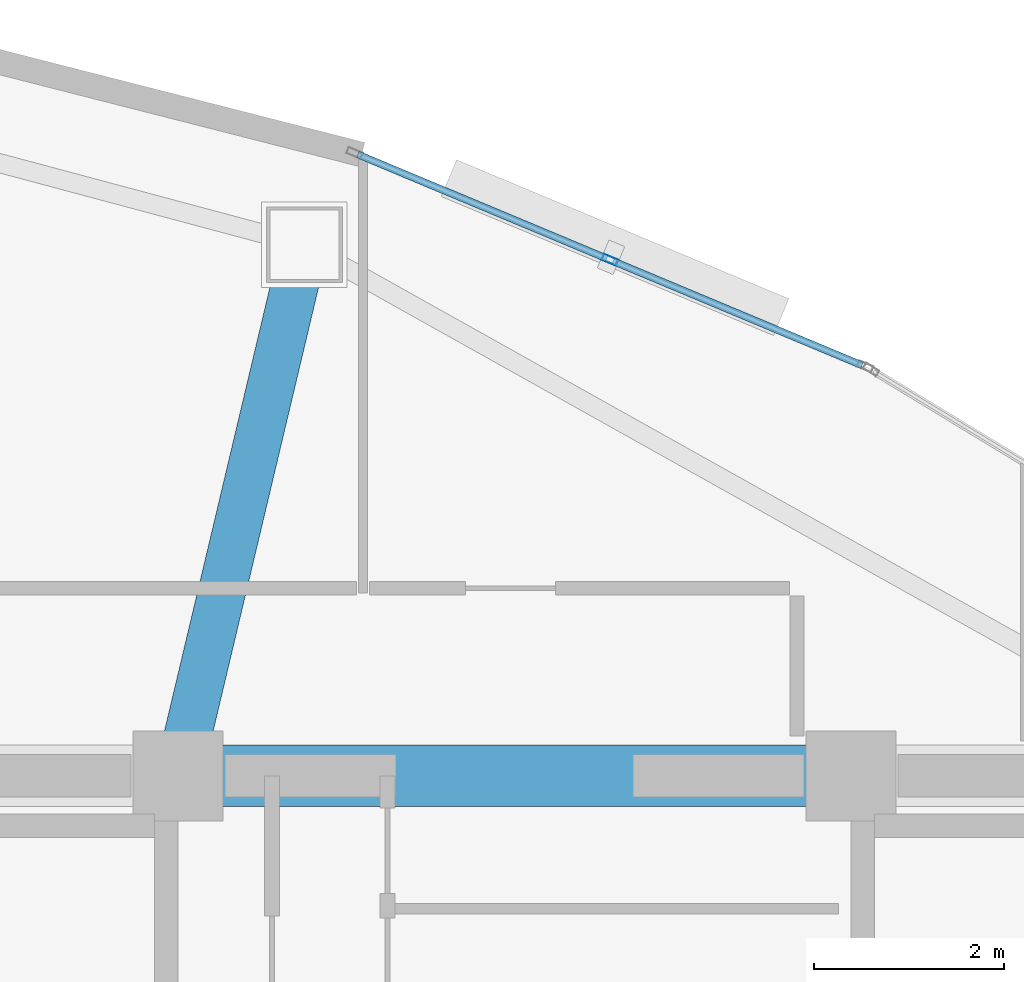
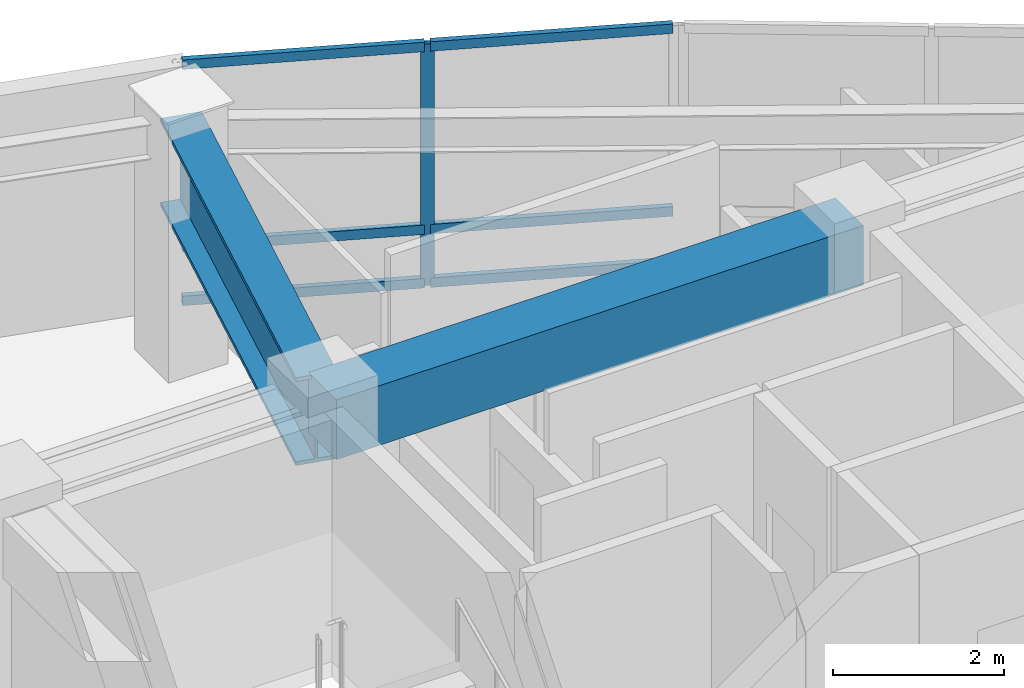
# One storey, part 8 of 15: 7 members, 2 beams, 1 element without a shape of its own.
"""IFC4 building model written with IfcOpenShell, lengths in metres."""

from ifc_helpers import new_model, si_unit, direction, frame, origin, origin_2d, place, context, subcontext, project, spatial, rectangle, hollow_rectangle, i_section, extrude, material, layer, layer_set, material_profile, profile_set, type_object, element, aggregate, save


model = new_model("IFC4")

# Units and contexts
model_context = context("Model", 3, precision=1e-05, world=origin(), true_north=direction((0.0, 1.0)))
body_context = subcontext(model_context, "Body", "Model", "MODEL_VIEW")
ifc_project = project(units=[si_unit("LENGTHUNIT", "METRE"), si_unit("AREAUNIT", "SQUARE_METRE"), si_unit("VOLUMEUNIT", "CUBIC_METRE"), si_unit("PLANEANGLEUNIT", "RADIAN"), si_unit("MASSUNIT", "GRAM", prefix="KILO")], contexts=[model_context])

# Site, building, storey
site_placement = place(None, origin())
site = spatial("IfcSite", under=ifc_project, at=site_placement, CompositionType="ELEMENT")
building_placement = place(site_placement, origin())
building = spatial("IfcBuilding", under=site, at=building_placement, Name="Menara Vayukalpa", CompositionType="ELEMENT")
storey_placement = place(building_placement, frame((0.0, 0.0, 295.5)))
storey = spatial("IfcBuildingStorey", under=building, at=storey_placement, Name="L75", CompositionType="ELEMENT", Elevation=295.5)

# Beams
ifc_material_1 = material(Name="Concrete C60/75", Category="concrete")
ifc_material_profile_1 = material_profile(ifc_material_1, rectangle(XDim=0.64990234375, YDim=0.85009765625, at=origin_2d()), Name="RC 650x850")
ifc_profile_set_1 = profile_set([ifc_material_profile_1], Name="Concrete C60/75")
beam_type_1 = type_object("IfcBeamType", Name="BM-CB1", PredefinedType="BEAM", material=ifc_profile_set_1)
beam_1_placement = place(storey_placement, frame((22.050048828125, 26.800048828125, 3.014892578125), z_axis=(1.0, 0.0, 0.0), x_axis=(0.0, 1.0, 0.0)))
element("IfcBeam", 1, at=beam_1_placement, inside=storey, type_object=beam_type_1, Name="L75 Core Tie Beam CBR5", PredefinedType="BEAM", context=body_context, shape_type="SweptSolid", body=[
    extrude(rectangle(XDim=0.64990234375, YDim=0.85009765625, at=origin_2d()), origin(), (0.0, 0.0, 1.0), 7.099853515625),
])
ifc_material_2 = material(Name="Steel S460", Category="steel")
ifc_material_profile_2 = material_profile(ifc_material_2, i_section(OverallWidth=0.5, OverallDepth=1.25, WebThickness=0.028076171875, FlangeThickness=0.054931640625, at=origin_2d()), Name="WG 1250x500x28x55")
ifc_profile_set_2 = profile_set([ifc_material_profile_2], Name="Steel S460")
beam_type_2 = type_object("IfcBeamType", Name="BM-TG2", PredefinedType="BEAM", material=ifc_profile_set_2)
beam_2_placement = place(storey_placement, frame((22.10791015625, 27.043212890625, 2.81494140625), z_axis=(0.231167310854, 0.972914011818, 0.0), x_axis=(-0.972914011818, 0.231167310854, 0.0)))
element("IfcBeam", 2, at=beam_2_placement, inside=storey, type_object=beam_type_2, Name="L75 Primary Radial Girder RG03", PredefinedType="BEAM", context=body_context, shape_type="SweptSolid", body=[
    extrude(i_section(OverallWidth=0.5, OverallDepth=1.25, WebThickness=0.028076171875, FlangeThickness=0.054931640625, at=origin_2d()), origin(), (0.0, 0.0, 1.0), 5.5107421875),
])

# Curtain wall, members
ifc_material_3 = material(Name="Anodised Terracotta Aluminium Alloy 6063-T6", Category="masonry")
ifc_layer = layer(ifc_material_3, 0.1650390625)
ifc_layer_set = layer_set([ifc_layer], Name="Anodised Terracotta Aluminium Alloy 6063-T6")
curtain_wall_type = type_object("IfcCurtainWallType", Name="CW-CW6", PredefinedType="USERDEFINED", material=ifc_layer_set)
curtain_wall_placement = place(storey_placement, origin())
curtain_wall = element("IfcCurtainWall", 3, at=curtain_wall_placement, inside=storey, type_object=curtain_wall_type, Name="L75 Observation and Executive Curtain Wall CW6 05", ObjectType="UNITISED", PredefinedType="USERDEFINED")
ifc_material_4 = material(Name="Anodised Terracotta Aluminium Alloy 6063-T6", Category="masonry")
ifc_material_profile_3 = material_profile(ifc_material_4, hollow_rectangle(XDim=0.070068359375, YDim=0.1650390625, WallThickness=0.00390625, at=origin_2d()), Name="ALU 70x165x4")
ifc_profile_set_3 = profile_set([ifc_material_profile_3], Name="Anodised Terracotta Aluminium Alloy 6063-T6")
member_type_1 = type_object("IfcMemberType", Name="CWM-CW6", PredefinedType="MULLION", material=ifc_profile_set_3)
member_1_placement = place(storey_placement, frame((26.60595703125, 32.2451171875, 0.0), z_axis=(0.0, 0.0, 1.0), x_axis=(-0.385899911703, -0.922540653927, 0.0)))
member_1 = element("IfcMember", 4, at=member_1_placement, type_object=member_type_1, Name="CW6 mullion 2", PredefinedType="MULLION", context=body_context, shape_type="SweptSolid", body=[
    extrude(hollow_rectangle(XDim=0.070068359375, YDim=0.1650390625, WallThickness=0.00390625, at=origin_2d()), origin(), (0.0, 0.0, 1.0), 3.43994140625),
])
ifc_material_5 = material(Name="Anodised Terracotta Aluminium Alloy 6063-T6", Category="masonry")
ifc_material_profile_4 = material_profile(ifc_material_5, hollow_rectangle(XDim=0.074951171875, YDim=0.135009765625, WallThickness=0.00390625, at=origin_2d()), Name="ALU 75x135x4")
ifc_profile_set_4 = profile_set([ifc_material_profile_4], Name="Anodised Terracotta Aluminium Alloy 6063-T6")
member_type_2 = type_object("IfcMemberType", Name="CWT-CW6", PredefinedType="USERDEFINED", material=ifc_profile_set_4)
member_2_placement = place(storey_placement, frame((29.266357421875, 31.13232421875, 0.03759765625), z_axis=(-0.922528286758, 0.385929475592, 0.0), x_axis=(-0.385929475592, -0.922528286758, 0.0)))
member_2 = element("IfcMember", 5, at=member_2_placement, type_object=member_type_2, Name="CW6 transom 1.1", ObjectType="TRANSOM", PredefinedType="USERDEFINED", context=body_context, shape_type="SweptSolid", body=[
    extrude(hollow_rectangle(XDim=0.074951171875, YDim=0.135009765625, WallThickness=0.00390625, at=origin_2d()), origin(), (0.0, 0.0, 1.0), 2.8486328125),
])
member_3_placement = place(storey_placement, frame((29.266357421875, 31.13232421875, 0.800048828125), z_axis=(-0.922528286758, 0.385929475592, 0.0), x_axis=(-0.385929475592, -0.922528286758, 0.0)))
member_3 = element("IfcMember", 6, at=member_3_placement, type_object=member_type_2, Name="CW6 transom 1.2", ObjectType="TRANSOM", PredefinedType="USERDEFINED", context=body_context, shape_type="SweptSolid", body=[
    extrude(hollow_rectangle(XDim=0.074951171875, YDim=0.135009765625, WallThickness=0.00390625, at=origin_2d()), origin(), (0.0, 0.0, 1.0), 2.8486328125),
])
member_4_placement = place(storey_placement, frame((29.266357421875, 31.13232421875, 3.402587890625), z_axis=(-0.922528286758, 0.385929475592, 0.0), x_axis=(-0.385929475592, -0.922528286758, 0.0)))
member_4 = element("IfcMember", 7, at=member_4_placement, type_object=member_type_2, Name="CW6 transom 1.3", ObjectType="TRANSOM", PredefinedType="USERDEFINED", context=body_context, shape_type="SweptSolid", body=[
    extrude(hollow_rectangle(XDim=0.074951171875, YDim=0.135009765625, WallThickness=0.00390625, at=origin_2d()), origin(), (0.0, 0.0, 1.0), 2.8486328125),
])
member_5_placement = place(storey_placement, frame((26.57373046875, 32.258544921875, 0.03759765625), z_axis=(-0.922541050276, 0.38589896418, 0.0), x_axis=(-0.38589896418, -0.922541050276, 0.0)))
member_5 = element("IfcMember", 8, at=member_5_placement, type_object=member_type_2, Name="CW6 transom 2.1", ObjectType="TRANSOM", PredefinedType="USERDEFINED", context=body_context, shape_type="SweptSolid", body=[
    extrude(hollow_rectangle(XDim=0.074951171875, YDim=0.135009765625, WallThickness=0.00390625, at=origin_2d()), origin(), (0.0, 0.0, 1.0), 2.848876953125),
])
member_6_placement = place(storey_placement, frame((26.57373046875, 32.258544921875, 0.800048828125), z_axis=(-0.922541050276, 0.38589896418, 0.0), x_axis=(-0.38589896418, -0.922541050276, 0.0)))
member_6 = element("IfcMember", 9, at=member_6_placement, type_object=member_type_2, Name="CW6 transom 2.2", ObjectType="TRANSOM", PredefinedType="USERDEFINED", context=body_context, shape_type="SweptSolid", body=[
    extrude(hollow_rectangle(XDim=0.074951171875, YDim=0.135009765625, WallThickness=0.00390625, at=origin_2d()), origin(), (0.0, 0.0, 1.0), 2.848876953125),
])
member_7_placement = place(storey_placement, frame((26.57373046875, 32.258544921875, 3.402587890625), z_axis=(-0.922541050276, 0.38589896418, 0.0), x_axis=(-0.38589896418, -0.922541050276, 0.0)))
member_7 = element("IfcMember", 10, at=member_7_placement, type_object=member_type_2, Name="CW6 transom 2.3", ObjectType="TRANSOM", PredefinedType="USERDEFINED", context=body_context, shape_type="SweptSolid", body=[
    extrude(hollow_rectangle(XDim=0.074951171875, YDim=0.135009765625, WallThickness=0.00390625, at=origin_2d()), origin(), (0.0, 0.0, 1.0), 2.848876953125),
])
aggregate(curtain_wall, [member_1, member_2, member_3, member_4, member_5, member_6, member_7])

save(model, "model.ifc")
